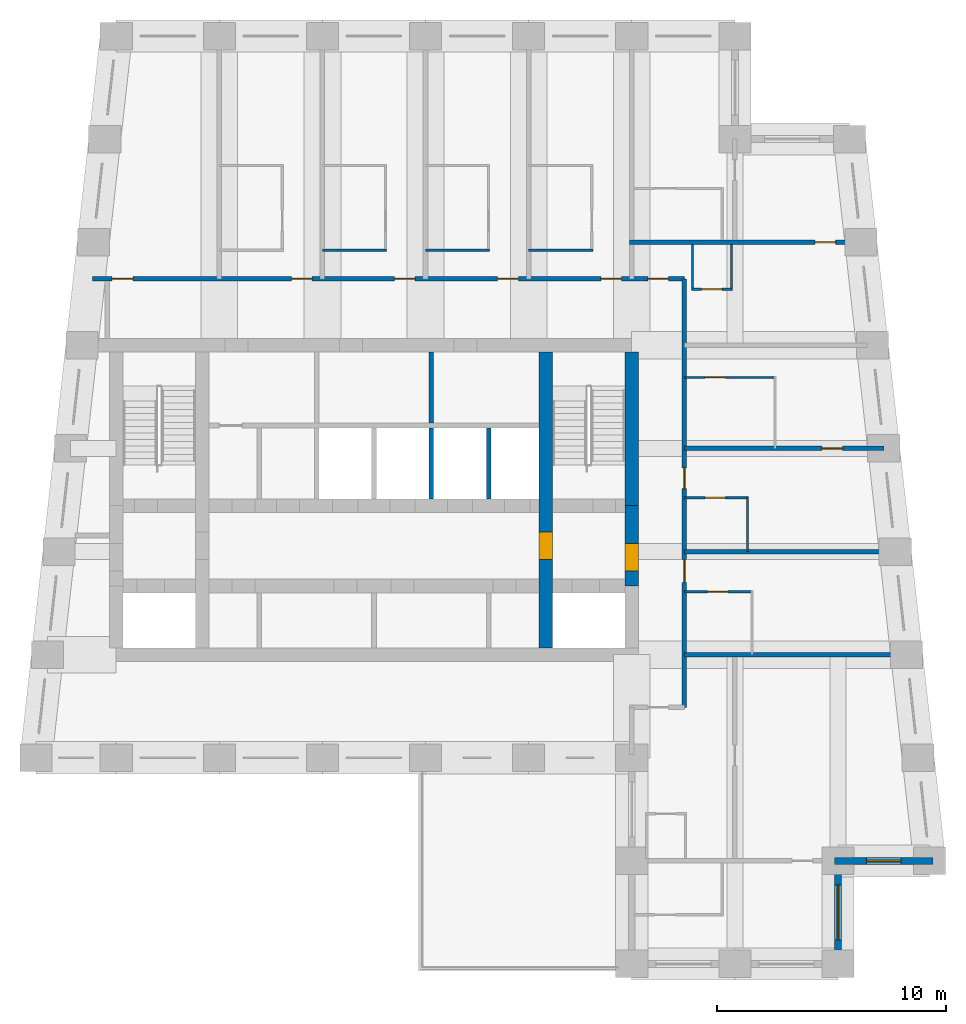
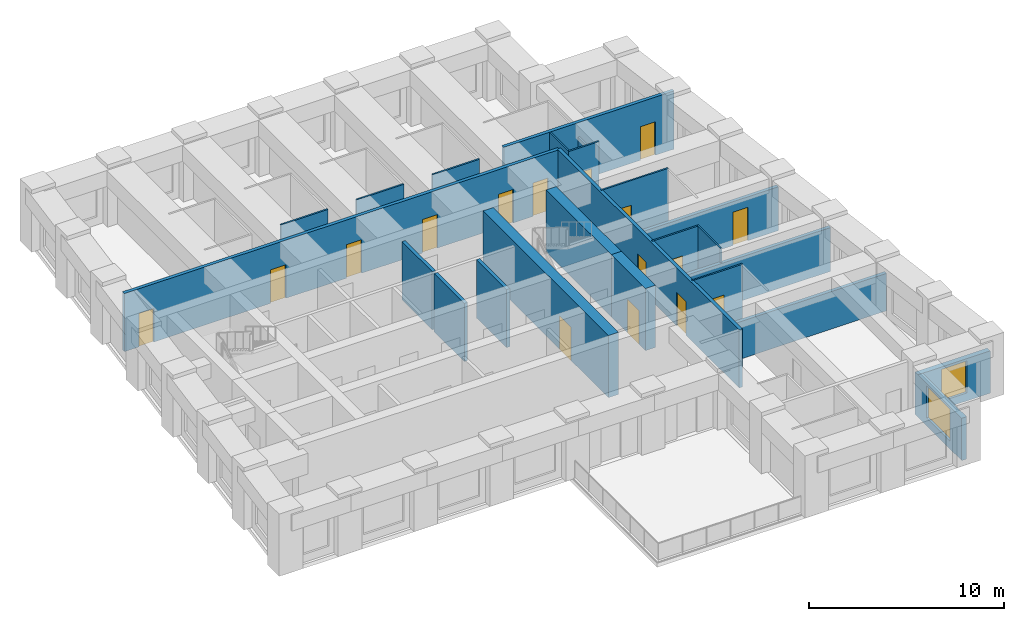
# One storey, part 4 of 7: 24 walls, 16 doors, 2 windows, 18 openings.
"""IFC4 building model written with IfcOpenShell, lengths in metres."""

from ifc_helpers import new_model, si_unit, direction, frame, frame_2d, origin, place, context, subcontext, project, spatial, rectangle, extrude, material, layer, layer_set, type_object, element, fill, save


model = new_model("IFC4")

# Units and contexts
model_context = context("Model", 3, precision=1e-05, world=origin(), true_north=direction((0.0, 1.0)))
body_context = subcontext(model_context, "Body", "Model", "MODEL_VIEW")
ifc_project = project(units=[si_unit("LENGTHUNIT", "METRE"), si_unit("AREAUNIT", "SQUARE_METRE"), si_unit("VOLUMEUNIT", "CUBIC_METRE"), si_unit("PLANEANGLEUNIT", "RADIAN"), si_unit("MASSUNIT", "GRAM", prefix="KILO")], contexts=[model_context])

# Site, building, storey
site_placement = place(None, origin())
site = spatial("IfcSite", under=ifc_project, at=site_placement, CompositionType="ELEMENT")
building_placement = place(site_placement, origin())
building = spatial("IfcBuilding", under=site, at=building_placement, Name="Kilele Tower Hotel", CompositionType="ELEMENT")
storey_placement = place(building_placement, frame((0.0, 0.0, 250.699951171875)))
storey = spatial("IfcBuildingStorey", under=building, at=storey_placement, Name="L64", CompositionType="ELEMENT", Elevation=250.699951171875)

# Wall, opening, door
ifc_material_1 = material(Name="Moisture-resistant board")
ifc_layer_1 = layer(ifc_material_1, 0.10009765625)
ifc_layer_set_1 = layer_set([ifc_layer_1], Name="Moisture-resistant board")
wall_type_1 = type_object("IfcWallType", Name="Bathroom partition 100", PredefinedType="PLUMBINGWALL", material=ifc_layer_set_1)
wall_1_placement = place(storey_placement, frame((38.300048828125, 16.25, 0.0), z_axis=(0.0, 0.0, 1.0), x_axis=(1.0, 0.0, 0.0)))
wall_1 = element("IfcWall", 1, at=wall_1_placement, inside=storey, type_object=wall_type_1, Name="Bathroom partition 100 L64", PredefinedType="PLUMBINGWALL", context=body_context, shape_type="SweptSolid", body=[
    extrude(rectangle(XDim=3.0, YDim=0.10009765625, at=frame_2d((1.5, 0.0))), origin(), (0.0, 0.0, 1.0), 3.650146484375),
])
opening_1_placement = place(wall_1_placement, frame((1.0, 0.0, 0.0)))
opening_1 = element("IfcOpeningElement", 2, at=opening_1_placement, cuts=wall_1, Name="Opening D2A", PredefinedType="OPENING", context=body_context, shape_type="SweptSolid", body=[
    extrude(rectangle(XDim=0.89990234375, YDim=2.10009765625, at=frame_2d((0.449951171875, 1.050048828125))), frame((0.0, 0.06005859375, 0.0), z_axis=(0.0, -1.0, 0.0), x_axis=(1.0, 0.0, 0.0)), (0.0, 0.0, 1.0), 0.1201171875),
])
ifc_material_2 = material(Name="Timber door leaf in hardwood frame", Category="wood")
door_type_1 = type_object("IfcDoorType", Name="Bathroom door 900", OperationType="SINGLE_SWING_LEFT", PredefinedType="DOOR", material=ifc_material_2)
door_1_placement = place(opening_1_placement, origin())
door_1 = element("IfcDoor", 3, at=door_1_placement, inside=storey, type_object=door_type_1, Name="Bathroom door 6402B", OperationType="SINGLE_SWING_LEFT", OverallHeight=2.10009765625, OverallWidth=0.89990234375, PredefinedType="DOOR", context=body_context, shape_type="SweptSolid", body=[
    extrude(rectangle(XDim=0.89990234375, YDim=2.10009765625, at=frame_2d((0.449951171875, 1.050048828125))), frame((0.0, 0.02490234375, 0.0), z_axis=(0.0, -1.0, 0.0), x_axis=(1.0, 0.0, 0.0)), (0.0, 0.0, 1.0), 0.050048828125),
])
fill(opening_1, door_1)

# Wall
wall_2_placement = place(storey_placement, frame((41.050048828125, 18.0, 0.0), z_axis=(0.0, 0.0, 1.0), x_axis=(0.0, 1.0, 0.0)))
element("IfcWall", 4, at=wall_2_placement, inside=storey, type_object=wall_type_1, Name="Bathroom partition 100 L64", PredefinedType="PLUMBINGWALL", context=body_context, shape_type="SweptSolid", body=[
    extrude(rectangle(XDim=2.39990234375, YDim=0.10009765625, at=frame_2d((1.199951171875, 0.0))), origin(), (0.0, 0.0, 1.0), 3.650146484375),
])

# Wall, opening, door
wall_3_placement = place(storey_placement, frame((38.300048828125, 20.35009765625, 0.0), z_axis=(0.0, 0.0, 1.0), x_axis=(1.0, 0.0, 0.0)))
wall_3 = element("IfcWall", 5, at=wall_3_placement, inside=storey, type_object=wall_type_1, Name="Bathroom partition 100 L64", PredefinedType="PLUMBINGWALL", context=body_context, shape_type="SweptSolid", body=[
    extrude(rectangle(XDim=2.800048828125, YDim=0.10009765625, at=frame_2d((1.39990234375, 0.0))), origin(), (0.0, 0.0, 1.0), 3.650146484375),
])
opening_2_placement = place(wall_3_placement, frame((0.89990234375, 0.0, 0.0)))
opening_2 = element("IfcOpeningElement", 6, at=opening_2_placement, cuts=wall_3, Name="Opening D2A", PredefinedType="OPENING", context=body_context, shape_type="SweptSolid", body=[
    extrude(rectangle(XDim=0.89990234375, YDim=2.10009765625, at=frame_2d((0.449951171875, 1.050048828125))), frame((0.0, 0.06005859375, 0.0), z_axis=(0.0, -1.0, 0.0), x_axis=(1.0, 0.0, 0.0)), (0.0, 0.0, 1.0), 0.1201171875),
])
door_2_placement = place(opening_2_placement, origin())
door_2 = element("IfcDoor", 7, at=door_2_placement, inside=storey, type_object=door_type_1, Name="Bathroom door 6403B", OperationType="SINGLE_SWING_LEFT", OverallHeight=2.10009765625, OverallWidth=0.89990234375, PredefinedType="DOOR", context=body_context, shape_type="SweptSolid", body=[
    extrude(rectangle(XDim=0.89990234375, YDim=2.10009765625, at=frame_2d((0.449951171875, 1.050048828125))), frame((0.0, 0.02490234375, 0.0), z_axis=(0.0, -1.0, 0.0), x_axis=(1.0, 0.0, 0.0)), (0.0, 0.0, 1.0), 0.050048828125),
])
fill(opening_2, door_2)

wall_4_placement = place(storey_placement, frame((38.300048828125, 25.60009765625, 0.0), z_axis=(0.0, 0.0, 1.0), x_axis=(1.0, 0.0, 0.0)))
wall_4 = element("IfcWall", 8, at=wall_4_placement, inside=storey, type_object=wall_type_1, Name="Bathroom partition 100 L64", PredefinedType="PLUMBINGWALL", context=body_context, shape_type="SweptSolid", body=[
    extrude(rectangle(XDim=4.0, YDim=0.10009765625, at=frame_2d((2.0, 0.0))), origin(), (0.0, 0.0, 1.0), 3.650146484375),
])
opening_3_placement = place(wall_4_placement, frame((0.89990234375, 0.0, 0.0)))
opening_3 = element("IfcOpeningElement", 9, at=opening_3_placement, cuts=wall_4, Name="Opening D2A", PredefinedType="OPENING", context=body_context, shape_type="SweptSolid", body=[
    extrude(rectangle(XDim=0.89990234375, YDim=2.10009765625, at=frame_2d((0.449951171875, 1.050048828125))), frame((0.0, 0.06005859375, 0.0), z_axis=(0.0, -1.0, 0.0), x_axis=(1.0, 0.0, 0.0)), (0.0, 0.0, 1.0), 0.1201171875),
])
door_3_placement = place(opening_3_placement, origin())
door_3 = element("IfcDoor", 10, at=door_3_placement, inside=storey, type_object=door_type_1, Name="Bathroom door 6404B", OperationType="SINGLE_SWING_LEFT", OverallHeight=2.10009765625, OverallWidth=0.89990234375, PredefinedType="DOOR", context=body_context, shape_type="SweptSolid", body=[
    extrude(rectangle(XDim=0.89990234375, YDim=2.10009765625, at=frame_2d((0.449951171875, 1.050048828125))), frame((0.0, 0.02490234375, 0.0), z_axis=(0.0, -1.0, 0.0), x_axis=(1.0, 0.0, 0.0)), (0.0, 0.0, 1.0), 0.050048828125),
])
fill(opening_3, door_3)

# Walls
for number, where, z_axis, x_axis, name in (
    (11, (22.5, 31.14990234375, 0.0), (0.0, 0.0, 1.0), (1.0, 0.0, 0.0), "Bathroom partition 100 L64"),
    (12, (27.0, 31.14990234375, 0.0), (0.0, 0.0, 1.0), (1.0, 0.0, 0.0), "Bathroom partition 100 L64"),
    (13, (31.5, 31.14990234375, 0.0), (0.0, 0.0, 1.0), (1.0, 0.0, 0.0), "Bathroom partition 100 L64"),
):
    element("IfcWall", number, at=place(storey_placement, frame(where, z_axis=z_axis, x_axis=x_axis)), inside=storey, type_object=wall_type_1, Name=name, PredefinedType="PLUMBINGWALL", context=body_context, shape_type="SweptSolid", body=[
        extrude(rectangle(XDim=2.800048828125, YDim=0.10009765625, at=frame_2d((1.39990234375, 0.0))), origin(), (0.0, 0.0, 1.0), 3.650146484375),
    ])
wall_5_placement = place(storey_placement, frame((40.35009765625, 31.39990234375, 0.0), z_axis=(0.0, 0.0, 1.0), x_axis=(0.0, -1.0, 0.0)))
element("IfcWall", 14, at=wall_5_placement, inside=storey, type_object=wall_type_1, Name="Bathroom partition 100 L64", PredefinedType="PLUMBINGWALL", context=body_context, shape_type="SweptSolid", body=[
    extrude(rectangle(XDim=2.0, YDim=0.10009765625, at=frame_2d((1.0, 0.0))), origin(), (0.0, 0.0, 1.0), 2.75),
])
wall_6_placement = place(storey_placement, frame((38.64990234375, 31.39990234375, 0.0), z_axis=(0.0, 0.0, 1.0), x_axis=(0.0, -1.0, 0.0)))
element("IfcWall", 15, at=wall_6_placement, inside=storey, type_object=wall_type_1, Name="Bathroom partition 100 L64", PredefinedType="PLUMBINGWALL", context=body_context, shape_type="SweptSolid", body=[
    extrude(rectangle(XDim=2.0, YDim=0.10009765625, at=frame_2d((1.0, 0.0))), origin(), (0.0, 0.0, 1.0), 3.650146484375),
])

# Wall, opening, door
wall_7_placement = place(storey_placement, frame((38.60009765625, 29.449951171875, 0.0), z_axis=(0.0, 0.0, 1.0), x_axis=(1.0, 0.0, 0.0)))
wall_7 = element("IfcWall", 16, at=wall_7_placement, inside=storey, type_object=wall_type_1, Name="Bathroom partition 100 L64", PredefinedType="PLUMBINGWALL", context=body_context, shape_type="SweptSolid", body=[
    extrude(rectangle(XDim=1.7998046875, YDim=0.10009765625, at=frame_2d((0.89990234375, 0.0))), origin(), (0.0, 0.0, 1.0), 3.650146484375),
])
opening_4_placement = place(wall_7_placement, frame((1.349853515625, 0.0, 0.0), z_axis=(0.0, 0.0, 1.0), x_axis=(-1.0, 0.0, 0.0)))
opening_4 = element("IfcOpeningElement", 17, at=opening_4_placement, cuts=wall_7, Name="Opening D2A", PredefinedType="OPENING", context=body_context, shape_type="SweptSolid", body=[
    extrude(rectangle(XDim=0.89990234375, YDim=2.10009765625, at=frame_2d((0.449951171875, 1.050048828125))), frame((0.0, 0.06005859375, 0.0), z_axis=(0.0, -1.0, 0.0), x_axis=(1.0, 0.0, 0.0)), (0.0, 0.0, 1.0), 0.1201171875),
])
door_4_placement = place(opening_4_placement, origin())
door_4 = element("IfcDoor", 18, at=door_4_placement, inside=storey, type_object=door_type_1, Name="Bathroom door 6413P", OperationType="SINGLE_SWING_RIGHT", OverallHeight=2.10009765625, OverallWidth=0.89990234375, PredefinedType="DOOR", context=body_context, shape_type="SweptSolid", body=[
    extrude(rectangle(XDim=0.89990234375, YDim=2.10009765625, at=frame_2d((0.449951171875, 1.050048828125))), frame((0.0, 0.02490234375, 0.0), z_axis=(0.0, -1.0, 0.0), x_axis=(1.0, 0.0, 0.0)), (0.0, 0.0, 1.0), 0.050048828125),
])
fill(opening_4, door_4)

ifc_material_3 = material(Name="Concrete C60/75", Category="concrete")
ifc_layer_2 = layer(ifc_material_3, 0.60009765625)
ifc_layer_set_2 = layer_set([ifc_layer_2], Name="Concrete C60/75")
wall_type_2 = type_object("IfcWallType", Name="Core wall 600 C60/75", PredefinedType="SHEAR", material=ifc_layer_set_2)
wall_8_placement = place(storey_placement, frame((32.25, 13.800048828125, 0.0), z_axis=(0.0, 0.0, 1.0), x_axis=(0.0, 1.0, 0.0)))
wall_8 = element("IfcWall", 19, at=wall_8_placement, inside=storey, type_object=wall_type_2, Name="Core wall IE L64", PredefinedType="SHEAR", context=body_context, shape_type="SweptSolid", body=[
    extrude(rectangle(XDim=12.89990234375, YDim=0.60009765625, at=frame_2d((6.449951171875, 0.0))), origin(), (0.0, 0.0, 1.0), 3.900146484375),
])
opening_5_placement = place(wall_8_placement, frame((5.050048828125, 0.0, 0.0), z_axis=(0.0, 0.0, 1.0), x_axis=(-1.0, 0.0, 0.0)))
opening_5 = element("IfcOpeningElement", 20, at=opening_5_placement, cuts=wall_8, Name="Opening D4", PredefinedType="OPENING", context=body_context, shape_type="SweptSolid", body=[
    extrude(rectangle(XDim=1.199951171875, YDim=2.10009765625, at=frame_2d((0.60009765625, 1.050048828125))), frame((0.0, 0.31005859375, 0.0), z_axis=(0.0, -1.0, 0.0), x_axis=(1.0, 0.0, 0.0)), (0.0, 0.0, 1.0), 0.6201171875),
])
ifc_material_4 = material(Name="Timber door leaf in hardwood frame", Category="wood")
door_type_2 = type_object("IfcDoorType", Name="Firefighting lobby door 1200", OperationType="SINGLE_SWING_LEFT", PredefinedType="DOOR", material=ifc_material_4)
door_5_placement = place(opening_5_placement, origin())
door_5 = element("IfcDoor", 21, at=door_5_placement, inside=storey, type_object=door_type_2, Name="Lobby door L64", OperationType="SINGLE_SWING_RIGHT", OverallHeight=2.10009765625, OverallWidth=1.199951171875, PredefinedType="DOOR", context=body_context, shape_type="SweptSolid", body=[
    extrude(rectangle(XDim=1.199951171875, YDim=2.10009765625, at=frame_2d((0.60009765625, 1.050048828125))), frame((0.0, 0.2998046875, 0.0), z_axis=(0.0, -1.0, 0.0), x_axis=(1.0, 0.0, 0.0)), (0.0, 0.0, 1.0), 0.599609375),
])
fill(opening_5, door_5)

wall_9_placement = place(storey_placement, frame((36.0, 16.5, 0.0), z_axis=(0.0, 0.0, 1.0), x_axis=(0.0, 1.0, 0.0)))
wall_9 = element("IfcWall", 22, at=wall_9_placement, inside=storey, type_object=wall_type_2, Name="Core wall E2 L64", PredefinedType="SHEAR", context=body_context, shape_type="SweptSolid", body=[
    extrude(rectangle(XDim=3.5, YDim=0.60009765625, at=frame_2d((1.75, 0.0))), origin(), (0.0, 0.0, 1.0), 3.900146484375),
])
opening_6_placement = place(wall_9_placement, frame((0.64990234375, 0.0, 0.0)))
opening_6 = element("IfcOpeningElement", 23, at=opening_6_placement, cuts=wall_9, Name="Opening D4", PredefinedType="OPENING", context=body_context, shape_type="SweptSolid", body=[
    extrude(rectangle(XDim=1.199951171875, YDim=2.10009765625, at=frame_2d((0.60009765625, 1.050048828125))), frame((0.0, 0.31005859375, 0.0), z_axis=(0.0, -1.0, 0.0), x_axis=(1.0, 0.0, 0.0)), (0.0, 0.0, 1.0), 0.6201171875),
])
door_6_placement = place(opening_6_placement, origin())
door_6 = element("IfcDoor", 24, at=door_6_placement, inside=storey, type_object=door_type_2, Name="Lobby door L64", OperationType="SINGLE_SWING_LEFT", OverallHeight=2.10009765625, OverallWidth=1.199951171875, PredefinedType="DOOR", context=body_context, shape_type="SweptSolid", body=[
    extrude(rectangle(XDim=1.199951171875, YDim=2.10009765625, at=frame_2d((0.60009765625, 1.050048828125))), frame((0.0, 0.2998046875, 0.0), z_axis=(0.0, -1.0, 0.0), x_axis=(1.0, 0.0, 0.0)), (0.0, 0.0, 1.0), 0.599609375),
])
fill(opening_6, door_6)

# Wall
wall_10_placement = place(storey_placement, frame((36.0, 20.0, 0.0), z_axis=(0.0, 0.0, 1.0), x_axis=(0.0, 1.0, 0.0)))
element("IfcWall", 25, at=wall_10_placement, inside=storey, type_object=wall_type_2, Name="Core wall E3 L64", PredefinedType="SHEAR", context=body_context, shape_type="SweptSolid", body=[
    extrude(rectangle(XDim=6.699951171875, YDim=0.60009765625, at=frame_2d((3.35009765625, 0.0))), origin(), (0.0, 0.0, 1.0), 3.900146484375),
])

# Wall, openings, doors
ifc_material_5 = material(Name="Blockwork, plastered both sides", Category="masonry")
ifc_layer_3 = layer(ifc_material_5, 0.199951171875)
ifc_layer_set_3 = layer_set([ifc_layer_3], Name="Blockwork, plastered both sides")
wall_type_3 = type_object("IfcWallType", Name="Corridor wall 200", PredefinedType="PARTITIONING", material=ifc_layer_set_3)
wall_11_placement = place(storey_placement, frame((12.47314453125, 29.89990234375, 0.0), z_axis=(0.0, 0.0, 1.0), x_axis=(1.0, 0.0, 0.0)))
wall_11 = element("IfcWall", 26, at=wall_11_placement, inside=storey, type_object=wall_type_3, Name="Corridor wall 200 L64", PredefinedType="PARTITIONING", context=body_context, shape_type="SweptSolid", body=[
    extrude(rectangle(XDim=25.826904296875, YDim=0.199951171875, at=frame_2d((12.91357421875, 0.0))), origin(), (0.0, 0.0, 1.0), 3.650146484375),
])
opening_7_placement = place(wall_11_placement, frame((0.85009765625, 0.0, 0.0)))
opening_7 = element("IfcOpeningElement", 27, at=opening_7_placement, cuts=wall_11, Name="Opening D1", PredefinedType="OPENING", context=body_context, shape_type="SweptSolid", body=[
    extrude(rectangle(XDim=0.89990234375, YDim=2.10009765625, at=frame_2d((0.449951171875, 1.050048828125))), frame((0.0, 0.10986328125, 0.0), z_axis=(0.0, -1.0, 0.0), x_axis=(1.0, 0.0, 0.0)), (0.0, 0.0, 1.0), 0.219970703125),
])
opening_8_placement = place(wall_11_placement, frame((8.677001953125, 0.0, 0.0)))
opening_8 = element("IfcOpeningElement", 28, at=opening_8_placement, cuts=wall_11, Name="Opening D1", PredefinedType="OPENING", context=body_context, shape_type="SweptSolid", body=[
    extrude(rectangle(XDim=0.89990234375, YDim=2.10009765625, at=frame_2d((0.449951171875, 1.050048828125))), frame((0.0, 0.10986328125, 0.0), z_axis=(0.0, -1.0, 0.0), x_axis=(1.0, 0.0, 0.0)), (0.0, 0.0, 1.0), 0.219970703125),
])
opening_9_placement = place(wall_11_placement, frame((13.177001953125, 0.0, 0.0)))
opening_9 = element("IfcOpeningElement", 29, at=opening_9_placement, cuts=wall_11, Name="Opening D1", PredefinedType="OPENING", context=body_context, shape_type="SweptSolid", body=[
    extrude(rectangle(XDim=0.89990234375, YDim=2.10009765625, at=frame_2d((0.449951171875, 1.050048828125))), frame((0.0, 0.10986328125, 0.0), z_axis=(0.0, -1.0, 0.0), x_axis=(1.0, 0.0, 0.0)), (0.0, 0.0, 1.0), 0.219970703125),
])
opening_10_placement = place(wall_11_placement, frame((17.677001953125, 0.0, 0.0)))
opening_10 = element("IfcOpeningElement", 30, at=opening_10_placement, cuts=wall_11, Name="Opening D1", PredefinedType="OPENING", context=body_context, shape_type="SweptSolid", body=[
    extrude(rectangle(XDim=0.89990234375, YDim=2.10009765625, at=frame_2d((0.449951171875, 1.050048828125))), frame((0.0, 0.10986328125, 0.0), z_axis=(0.0, -1.0, 0.0), x_axis=(1.0, 0.0, 0.0)), (0.0, 0.0, 1.0), 0.219970703125),
])
opening_11_placement = place(wall_11_placement, frame((22.177001953125, 0.0, 0.0)))
opening_11 = element("IfcOpeningElement", 31, at=opening_11_placement, cuts=wall_11, Name="Opening D1", PredefinedType="OPENING", context=body_context, shape_type="SweptSolid", body=[
    extrude(rectangle(XDim=0.89990234375, YDim=2.10009765625, at=frame_2d((0.449951171875, 1.050048828125))), frame((0.0, 0.10986328125, 0.0), z_axis=(0.0, -1.0, 0.0), x_axis=(1.0, 0.0, 0.0)), (0.0, 0.0, 1.0), 0.219970703125),
])
opening_12_placement = place(wall_11_placement, frame((24.226806640625, 0.0, 0.0)))
opening_12 = element("IfcOpeningElement", 32, at=opening_12_placement, cuts=wall_11, Name="Opening D1", PredefinedType="OPENING", context=body_context, shape_type="SweptSolid", body=[
    extrude(rectangle(XDim=0.89990234375, YDim=2.10009765625, at=frame_2d((0.449951171875, 1.050048828125))), frame((0.0, 0.10986328125, 0.0), z_axis=(0.0, -1.0, 0.0), x_axis=(1.0, 0.0, 0.0)), (0.0, 0.0, 1.0), 0.219970703125),
])
ifc_material_6 = material(Name="Timber door leaf in hardwood frame", Category="wood")
door_type_3 = type_object("IfcDoorType", Name="Guest room entrance door 900", OperationType="SINGLE_SWING_LEFT", PredefinedType="DOOR", material=ifc_material_6)
door_7_placement = place(opening_7_placement, origin())
door_7 = element("IfcDoor", 33, at=door_7_placement, inside=storey, type_object=door_type_3, Name="Room entrance 6405", OperationType="SINGLE_SWING_LEFT", OverallHeight=2.10009765625, OverallWidth=0.89990234375, PredefinedType="DOOR", context=body_context, shape_type="SweptSolid", body=[
    extrude(rectangle(XDim=0.89990234375, YDim=2.10009765625, at=frame_2d((0.449951171875, 1.050048828125))), frame((0.0, 0.02490234375, 0.0), z_axis=(0.0, -1.0, 0.0), x_axis=(1.0, 0.0, 0.0)), (0.0, 0.0, 1.0), 0.050048828125),
])
fill(opening_7, door_7)
door_8_placement = place(opening_8_placement, origin())
door_8 = element("IfcDoor", 34, at=door_8_placement, inside=storey, type_object=door_type_3, Name="Room entrance 6406", OperationType="SINGLE_SWING_RIGHT", OverallHeight=2.10009765625, OverallWidth=0.89990234375, PredefinedType="DOOR", context=body_context, shape_type="SweptSolid", body=[
    extrude(rectangle(XDim=0.89990234375, YDim=2.10009765625, at=frame_2d((0.449951171875, 1.050048828125))), frame((0.0, 0.02490234375, 0.0), z_axis=(0.0, -1.0, 0.0), x_axis=(1.0, 0.0, 0.0)), (0.0, 0.0, 1.0), 0.050048828125),
])
fill(opening_8, door_8)
door_9_placement = place(opening_9_placement, origin())
door_9 = element("IfcDoor", 35, at=door_9_placement, inside=storey, type_object=door_type_3, Name="Room entrance 6407", OperationType="SINGLE_SWING_RIGHT", OverallHeight=2.10009765625, OverallWidth=0.89990234375, PredefinedType="DOOR", context=body_context, shape_type="SweptSolid", body=[
    extrude(rectangle(XDim=0.89990234375, YDim=2.10009765625, at=frame_2d((0.449951171875, 1.050048828125))), frame((0.0, 0.02490234375, 0.0), z_axis=(0.0, -1.0, 0.0), x_axis=(1.0, 0.0, 0.0)), (0.0, 0.0, 1.0), 0.050048828125),
])
fill(opening_9, door_9)
door_10_placement = place(opening_10_placement, origin())
door_10 = element("IfcDoor", 36, at=door_10_placement, inside=storey, type_object=door_type_3, Name="Room entrance 6408", OperationType="SINGLE_SWING_RIGHT", OverallHeight=2.10009765625, OverallWidth=0.89990234375, PredefinedType="DOOR", context=body_context, shape_type="SweptSolid", body=[
    extrude(rectangle(XDim=0.89990234375, YDim=2.10009765625, at=frame_2d((0.449951171875, 1.050048828125))), frame((0.0, 0.02490234375, 0.0), z_axis=(0.0, -1.0, 0.0), x_axis=(1.0, 0.0, 0.0)), (0.0, 0.0, 1.0), 0.050048828125),
])
fill(opening_10, door_10)
door_11_placement = place(opening_11_placement, origin())
door_11 = element("IfcDoor", 37, at=door_11_placement, inside=storey, type_object=door_type_3, Name="Room entrance 6409", OperationType="SINGLE_SWING_RIGHT", OverallHeight=2.10009765625, OverallWidth=0.89990234375, PredefinedType="DOOR", context=body_context, shape_type="SweptSolid", body=[
    extrude(rectangle(XDim=0.89990234375, YDim=2.10009765625, at=frame_2d((0.449951171875, 1.050048828125))), frame((0.0, 0.02490234375, 0.0), z_axis=(0.0, -1.0, 0.0), x_axis=(1.0, 0.0, 0.0)), (0.0, 0.0, 1.0), 0.050048828125),
])
fill(opening_11, door_11)
door_12_placement = place(opening_12_placement, origin())
door_12 = element("IfcDoor", 38, at=door_12_placement, inside=storey, type_object=door_type_3, Name="Room entrance 6413", OperationType="SINGLE_SWING_LEFT", OverallHeight=2.10009765625, OverallWidth=0.89990234375, PredefinedType="DOOR", context=body_context, shape_type="SweptSolid", body=[
    extrude(rectangle(XDim=0.89990234375, YDim=2.10009765625, at=frame_2d((0.449951171875, 1.050048828125))), frame((0.0, 0.02490234375, 0.0), z_axis=(0.0, -1.0, 0.0), x_axis=(1.0, 0.0, 0.0)), (0.0, 0.0, 1.0), 0.050048828125),
])
fill(opening_12, door_12)

wall_12_placement = place(storey_placement, frame((38.300048828125, 11.199951171875, 0.0), z_axis=(0.0, 0.0, 1.0), x_axis=(0.0, 1.0, 0.0)))
wall_12 = element("IfcWall", 39, at=wall_12_placement, inside=storey, type_object=wall_type_3, Name="Corridor wall 200 L64", PredefinedType="PARTITIONING", context=body_context, shape_type="SweptSolid", body=[
    extrude(rectangle(XDim=18.699951171875, YDim=0.199951171875, at=frame_2d((9.35009765625, 0.0))), origin(), (0.0, 0.0, 1.0), 3.650146484375),
])
opening_13_placement = place(wall_12_placement, frame((6.449951171875, 0.0, 0.0), z_axis=(0.0, 0.0, 1.0), x_axis=(-1.0, 0.0, 0.0)))
opening_13 = element("IfcOpeningElement", 40, at=opening_13_placement, cuts=wall_12, Name="Opening D1A", PredefinedType="OPENING", context=body_context, shape_type="SweptSolid", body=[
    extrude(rectangle(XDim=1.0, YDim=2.10009765625, at=frame_2d((0.5, 1.050048828125))), frame((0.0, 0.10986328125, 0.0), z_axis=(0.0, -1.0, 0.0), x_axis=(1.0, 0.0, 0.0)), (0.0, 0.0, 1.0), 0.219970703125),
])
opening_14_placement = place(wall_12_placement, frame((10.449951171875, 0.0, 0.0), z_axis=(0.0, 0.0, 1.0), x_axis=(-1.0, 0.0, 0.0)))
opening_14 = element("IfcOpeningElement", 41, at=opening_14_placement, cuts=wall_12, Name="Opening D1", PredefinedType="OPENING", context=body_context, shape_type="SweptSolid", body=[
    extrude(rectangle(XDim=0.89990234375, YDim=2.10009765625, at=frame_2d((0.449951171875, 1.050048828125))), frame((0.0, 0.10986328125, 0.0), z_axis=(0.0, -1.0, 0.0), x_axis=(1.0, 0.0, 0.0)), (0.0, 0.0, 1.0), 0.219970703125),
])
ifc_material_7 = material(Name="Timber door leaf in hardwood frame", Category="wood")
door_type_4 = type_object("IfcDoorType", Name="Guest room entrance door 1000", OperationType="SINGLE_SWING_LEFT", PredefinedType="DOOR", material=ifc_material_7)
door_13_placement = place(opening_13_placement, origin())
door_13 = element("IfcDoor", 42, at=door_13_placement, inside=storey, type_object=door_type_4, Name="Room entrance 6402", OperationType="SINGLE_SWING_RIGHT", OverallHeight=2.10009765625, OverallWidth=1.0, PredefinedType="DOOR", context=body_context, shape_type="SweptSolid", body=[
    extrude(rectangle(XDim=1.0, YDim=2.10009765625, at=frame_2d((0.5, 1.050048828125))), frame((0.0, 0.02490234375, 0.0), z_axis=(0.0, -1.0, 0.0), x_axis=(1.0, 0.0, 0.0)), (0.0, 0.0, 1.0), 0.050048828125),
])
fill(opening_13, door_13)
door_14_placement = place(opening_14_placement, origin())
door_14 = element("IfcDoor", 43, at=door_14_placement, inside=storey, type_object=door_type_3, Name="Room entrance 6403", OperationType="SINGLE_SWING_RIGHT", OverallHeight=2.10009765625, OverallWidth=0.89990234375, PredefinedType="DOOR", context=body_context, shape_type="SweptSolid", body=[
    extrude(rectangle(XDim=0.89990234375, YDim=2.10009765625, at=frame_2d((0.449951171875, 1.050048828125))), frame((0.0, 0.02490234375, 0.0), z_axis=(0.0, -1.0, 0.0), x_axis=(1.0, 0.0, 0.0)), (0.0, 0.0, 1.0), 0.050048828125),
])
fill(opening_14, door_14)

# Wall
ifc_material_8 = material(Name="Blockwork, plastered both sides", Category="masonry")
ifc_layer_4 = layer(ifc_material_8, 0.199951171875)
ifc_layer_set_4 = layer_set([ifc_layer_4], Name="Blockwork, plastered both sides")
wall_type_4 = type_object("IfcWallType", Name="Party wall 200", PredefinedType="PARTITIONING", material=ifc_layer_set_4)
wall_13_placement = place(storey_placement, frame((38.300048828125, 18.0, 0.0), z_axis=(0.0, 0.0, 1.0), x_axis=(1.0, 0.0, 0.0)))
element("IfcWall", 44, at=wall_13_placement, inside=storey, type_object=wall_type_4, Name="Party wall 200 L64", PredefinedType="PARTITIONING", context=body_context, shape_type="SweptSolid", body=[
    extrude(rectangle(XDim=9.198974609375, YDim=0.199951171875, at=frame_2d((4.599609375, 0.0))), origin(), (0.0, 0.0, 1.0), 2.75),
])

# Wall, opening, door
wall_14_placement = place(storey_placement, frame((38.300048828125, 22.5, 0.0), z_axis=(0.0, 0.0, 1.0), x_axis=(1.0, 0.0, 0.0)))
wall_14 = element("IfcWall", 45, at=wall_14_placement, inside=storey, type_object=wall_type_4, Name="Party wall 200 L64", PredefinedType="PARTITIONING", context=body_context, shape_type="SweptSolid", body=[
    extrude(rectangle(XDim=8.698974609375, YDim=0.199951171875, at=frame_2d((4.349609375, 0.0))), origin(), (0.0, 0.0, 1.0), 2.75),
])
opening_15_placement = place(wall_14_placement, frame((6.0, 0.0, 0.0)))
opening_15 = element("IfcOpeningElement", 46, at=opening_15_placement, cuts=wall_14, Name="Opening D3", PredefinedType="OPENING", context=body_context, shape_type="SweptSolid", body=[
    extrude(rectangle(XDim=0.89990234375, YDim=2.10009765625, at=frame_2d((0.449951171875, 1.050048828125))), frame((0.0, 0.10986328125, 0.0), z_axis=(0.0, -1.0, 0.0), x_axis=(1.0, 0.0, 0.0)), (0.0, 0.0, 1.0), 0.219970703125),
])
ifc_material_9 = material(Name="Timber door leaf in hardwood frame", Category="wood")
door_type_5 = type_object("IfcDoorType", Name="Suite internal door 900", OperationType="SINGLE_SWING_LEFT", PredefinedType="DOOR", material=ifc_material_9)
door_15_placement = place(opening_15_placement, origin())
door_15 = element("IfcDoor", 47, at=door_15_placement, inside=storey, type_object=door_type_5, Name="Suite door 6404", OperationType="SINGLE_SWING_RIGHT", OverallHeight=2.10009765625, OverallWidth=0.89990234375, PredefinedType="DOOR", context=body_context, shape_type="SweptSolid", body=[
    extrude(rectangle(XDim=0.89990234375, YDim=2.10009765625, at=frame_2d((0.449951171875, 1.050048828125))), frame((0.0, 0.02490234375, 0.0), z_axis=(0.0, -1.0, 0.0), x_axis=(1.0, 0.0, 0.0)), (0.0, 0.0, 1.0), 0.050048828125),
])
fill(opening_15, door_15)

# Wall
wall_15_placement = place(storey_placement, frame((38.300048828125, 13.5, 0.0), z_axis=(0.0, 0.0, 1.0), x_axis=(1.0, 0.0, 0.0)))
element("IfcWall", 48, at=wall_15_placement, inside=storey, type_object=wall_type_4, Name="Party wall 200 L64", PredefinedType="PARTITIONING", context=body_context, shape_type="SweptSolid", body=[
    extrude(rectangle(XDim=9.921142578125, YDim=0.199951171875, at=frame_2d((4.96044921875, 0.0))), origin(), (0.0, 0.0, 1.0), 2.35009765625),
])

# Wall, opening, door
wall_16_placement = place(storey_placement, frame((35.89990234375, 31.5, 0.0), z_axis=(0.0, 0.0, 1.0), x_axis=(1.0, 0.0, 0.0)))
wall_16 = element("IfcWall", 49, at=wall_16_placement, inside=storey, type_object=wall_type_4, Name="Party wall 200 L64", PredefinedType="PARTITIONING", context=body_context, shape_type="SweptSolid", body=[
    extrude(rectangle(XDim=10.09912109375, YDim=0.199951171875, at=frame_2d((5.049560546875, 0.0))), origin(), (0.0, 0.0, 1.0), 3.650146484375),
])
opening_16_placement = place(wall_16_placement, frame((8.09912109375, 0.0, 0.0)))
opening_16 = element("IfcOpeningElement", 50, at=opening_16_placement, cuts=wall_16, Name="Opening D3", PredefinedType="OPENING", context=body_context, shape_type="SweptSolid", body=[
    extrude(rectangle(XDim=0.89990234375, YDim=2.10009765625, at=frame_2d((0.449951171875, 1.050048828125))), frame((0.0, 0.10986328125, 0.0), z_axis=(0.0, -1.0, 0.0), x_axis=(1.0, 0.0, 0.0)), (0.0, 0.0, 1.0), 0.219970703125),
])
door_16_placement = place(opening_16_placement, origin())
door_16 = element("IfcDoor", 51, at=door_16_placement, inside=storey, type_object=door_type_5, Name="Suite door 6414", OperationType="SINGLE_SWING_RIGHT", OverallHeight=2.10009765625, OverallWidth=0.89990234375, PredefinedType="DOOR", context=body_context, shape_type="SweptSolid", body=[
    extrude(rectangle(XDim=0.89990234375, YDim=2.10009765625, at=frame_2d((0.449951171875, 1.050048828125))), frame((0.0, 0.02490234375, 0.0), z_axis=(0.0, -1.0, 0.0), x_axis=(1.0, 0.0, 0.0)), (0.0, 0.0, 1.0), 0.050048828125),
])
fill(opening_16, door_16)

# Wall, opening, window
ifc_material_10 = material(Name="Concrete C40/50 precast", Category="concrete")
ifc_layer_5 = layer(ifc_material_10, 0.260009765625, Name="Precast backing", Category="LoadBearing")
ifc_material_11 = material(Name="Reconstituted stone finish", Category="masonry")
ifc_layer_6 = layer(ifc_material_11, 0.0400390625, Name="Face mix", Category="Finish")
ifc_layer_set_5 = layer_set([ifc_layer_5, ifc_layer_6], Name="Precast concrete C40/50, reconstituted stone finish")
wall_type_5 = type_object("IfcWallType", Name="Precast stone facade wall 300", PredefinedType="STANDARD", material=ifc_layer_set_5)
wall_17_placement = place(storey_placement, frame((45.0, -0.14990234375, 0.0), z_axis=(0.0, 0.0, 1.0), x_axis=(0.0, 1.0, 0.0)))
wall_17 = element("IfcWall", 52, at=wall_17_placement, inside=storey, type_object=wall_type_5, Name="Facade wall L64 edge 4", PredefinedType="STANDARD", context=body_context, shape_type="SweptSolid", body=[
    extrude(rectangle(XDim=4.7998046875, YDim=0.300048828125, at=frame_2d((2.39990234375, 0.0))), origin(), (0.0, 0.0, 1.0), 2.650146484375),
])
opening_17_placement = place(wall_17_placement, frame((1.199951171875, 0.0, 0.5)))
opening_17 = element("IfcOpeningElement", 53, at=opening_17_placement, cuts=wall_17, Name="Opening W4", PredefinedType="OPENING", context=body_context, shape_type="SweptSolid", body=[
    extrude(rectangle(XDim=2.39990234375, YDim=2.0, at=frame_2d((1.199951171875, 1.0))), frame((0.0, 0.159912109375, 0.0), z_axis=(0.0, -1.0, 0.0), x_axis=(1.0, 0.0, 0.0)), (0.0, 0.0, 1.0), 0.320068359375),
])
ifc_material_12 = material(Name="Aluminium frame, clear double glazing", Category="aluminium")
window_type_1 = type_object("IfcWindowType", Name="Window W4 2400 x 2000", PartitioningType="SINGLE_PANEL", PredefinedType="WINDOW", material=ifc_material_12)
window_1_placement = place(opening_17_placement, origin())
window_1 = element("IfcWindow", 54, at=window_1_placement, inside=storey, type_object=window_type_1, Name="Window L64", OverallHeight=2.0, OverallWidth=2.39990234375, PartitioningType="SINGLE_PANEL", PredefinedType="WINDOW", context=body_context, shape_type="SweptSolid", body=[
    extrude(rectangle(XDim=2.39990234375, YDim=2.0, at=frame_2d((1.199951171875, 1.0))), frame((0.0, 0.030029296875, 0.0), z_axis=(0.0, -1.0, 0.0), x_axis=(1.0, 0.0, 0.0)), (0.0, 0.0, 1.0), 0.06005859375),
])
fill(opening_17, window_1)

wall_18_placement = place(storey_placement, frame((44.85009765625, 4.5, 0.0), z_axis=(0.0, 0.0, 1.0), x_axis=(1.0, 0.0, 0.0)))
wall_18 = element("IfcWall", 55, at=wall_18_placement, inside=storey, type_object=wall_type_5, Name="Facade wall L64 edge 5", PredefinedType="STANDARD", context=body_context, shape_type="SweptSolid", body=[
    extrude(rectangle(XDim=4.2998046875, YDim=0.300048828125, at=frame_2d((2.14990234375, 0.0))), origin(), (0.0, 0.0, 1.0), 2.650146484375),
])
opening_18_placement = place(wall_18_placement, frame((1.39990234375, 0.0, 0.5)))
opening_18 = element("IfcOpeningElement", 56, at=opening_18_placement, cuts=wall_18, Name="Opening W4", PredefinedType="OPENING", context=body_context, shape_type="SweptSolid", body=[
    extrude(rectangle(XDim=1.5, YDim=2.0, at=frame_2d((0.75, 1.0))), frame((0.0, 0.159912109375, 0.0), z_axis=(0.0, -1.0, 0.0), x_axis=(1.0, 0.0, 0.0)), (0.0, 0.0, 1.0), 0.320068359375),
])
ifc_material_13 = material(Name="Aluminium frame, clear double glazing", Category="aluminium")
window_type_2 = type_object("IfcWindowType", Name="Window W4 1500 x 2000", PartitioningType="SINGLE_PANEL", PredefinedType="WINDOW", material=ifc_material_13)
window_2_placement = place(opening_18_placement, origin())
window_2 = element("IfcWindow", 57, at=window_2_placement, inside=storey, type_object=window_type_2, Name="Window L64", OverallHeight=2.0, OverallWidth=1.5, PartitioningType="SINGLE_PANEL", PredefinedType="WINDOW", context=body_context, shape_type="SweptSolid", body=[
    extrude(rectangle(XDim=1.5, YDim=2.0, at=frame_2d((0.75, 1.0))), frame((0.0, 0.030029296875, 0.0), z_axis=(0.0, -1.0, 0.0), x_axis=(1.0, 0.0, 0.0)), (0.0, 0.0, 1.0), 0.06005859375),
])
fill(opening_18, window_2)

# Walls
ifc_material_14 = material(Name="Blockwork, fire-rated", Category="masonry")
ifc_layer_7 = layer(ifc_material_14, 0.199951171875)
ifc_layer_set_6 = layer_set([ifc_layer_7], Name="Blockwork, fire-rated")
wall_type_6 = type_object("IfcWallType", Name="Shaft wall 200", PredefinedType="PARTITIONING", material=ifc_layer_set_6)
for number, where, z_axis, x_axis, name in (
    (58, (27.25, 20.300048828125, 0.0), (0.0, 0.0, 1.0), (0.0, 1.0, 0.0), "Shaft wall 200 L64"),
    (59, (29.75, 20.300048828125, 0.0), (0.0, 0.0, 1.0), (0.0, 1.0, 0.0), "Shaft wall 200 L64"),
    (60, (27.25, 23.60009765625, 0.0), (0.0, 0.0, 1.0), (0.0, 1.0, 0.0), "Shaft wall 200 L64"),
):
    element("IfcWall", number, at=place(storey_placement, frame(where, z_axis=z_axis, x_axis=x_axis)), inside=storey, type_object=wall_type_6, Name=name, PredefinedType="PARTITIONING", context=body_context, shape_type="SweptSolid", body=[
        extrude(rectangle(XDim=3.099853515625, YDim=0.199951171875, at=frame_2d((1.5498046875, 0.0))), origin(), (0.0, 0.0, 1.0), 3.650146484375),
    ])

save(model, "model.ifc")
